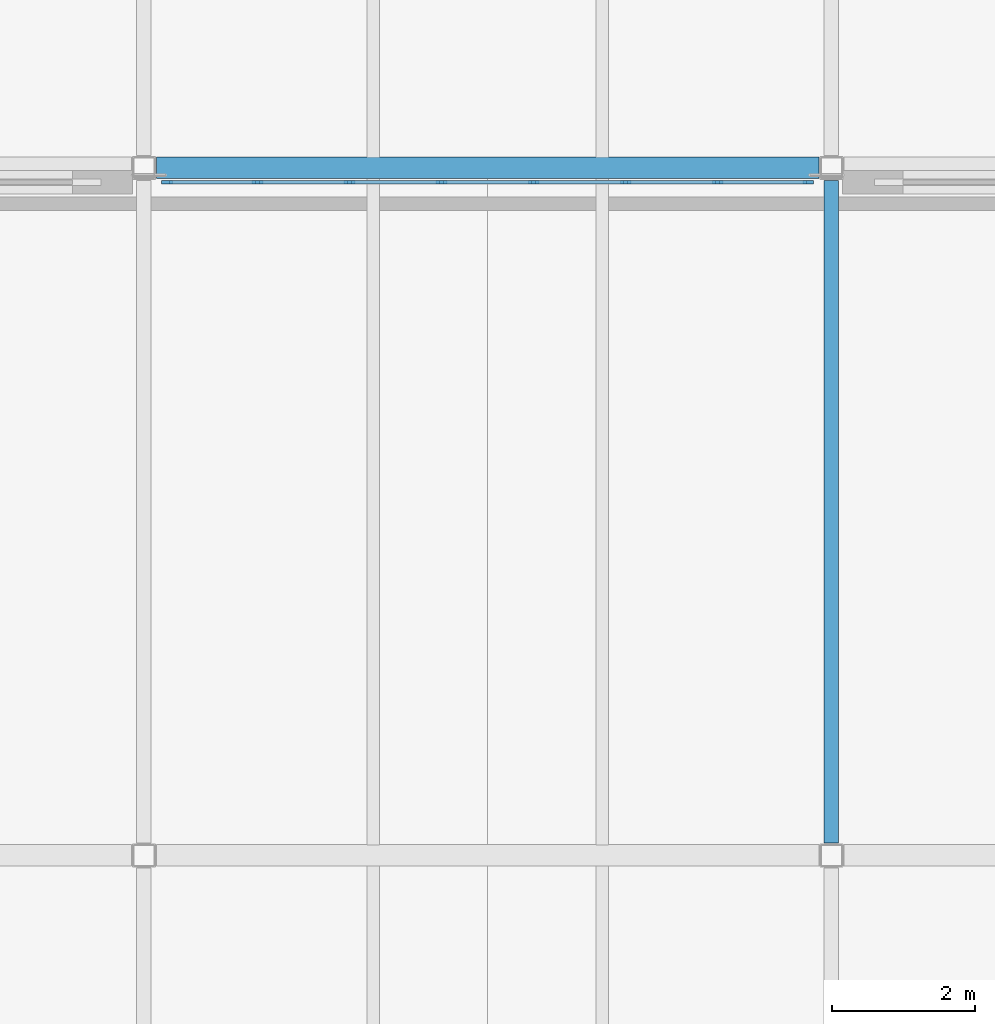
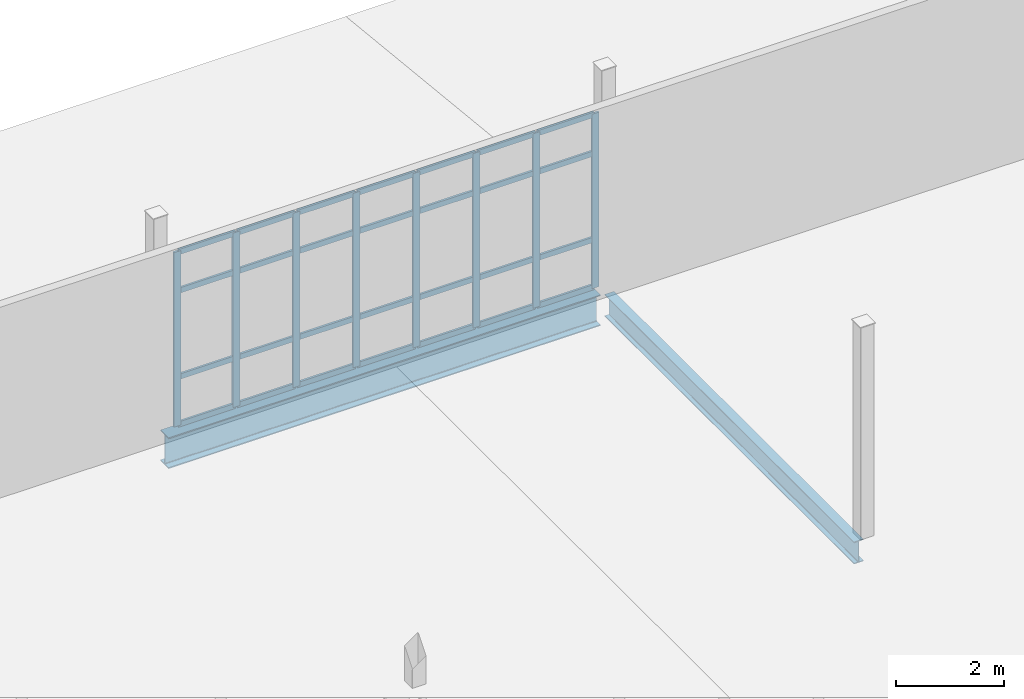
# One storey, part 51 of 112: 36 members, 2 beams, 1 element without a shape of its own.
"""IFC4 building model written with IfcOpenShell, lengths in metres."""

import ifcopenshell
import ifcopenshell.guid

model = None  # the IFC model being written
_history = None  # IfcOwnerHistory: only IFC2X3 demands one
_inside = {}  # id of a spatial element -> (the spatial element, [elements in it])
_under = {}  # id of a project, library or spatial element -> (it, [spatial elements below it])
_declared = {}  # id of a project -> (the project, [libraries it declares])
_typed = {}  # id of a type object -> (the type object, [elements of that type])
_made_of = {}  # id of a material, layer set ... -> (it, [elements and type objects made of it])


def new_model(schema):
    """Start an empty IFC model of exactly this schema.

    Asked for "IFC4X3", IfcOpenShell would pick the latest addendum, in which some entities
    have other attributes; the version numbers below select the first issue.
    IFC2X3 requires an IfcOwnerHistory on every rooted entity: one is made here for all.
    """
    global model, _history
    if schema == "IFC4X3":
        model = ifcopenshell.file(schema_version=(4, 3, 0, 0))
    else:
        model = ifcopenshell.file(schema=schema)
    _inside.clear()
    _under.clear()
    _declared.clear()
    _typed.clear()
    _made_of.clear()
    _history = None
    if model.schema == "IFC2X3":
        org = make("IfcOrganization", Name="unknown")
        user = make(
            "IfcPersonAndOrganization",
            ThePerson=make("IfcPerson", FamilyName="unknown"),
            TheOrganization=org,
        )
        app = make(
            "IfcApplication",
            ApplicationDeveloper=org,
            Version="unknown",
            ApplicationFullName="unknown",
            ApplicationIdentifier="unknown",
        )
        _history = make(
            "IfcOwnerHistory",
            OwningUser=user,
            OwningApplication=app,
            ChangeAction="ADDED",
            CreationDate=0,
        )
    return model


def make(cls, **values):
    """One entity of the class cls with the attributes given. An attribute that is None is left unset."""
    return model.create_entity(
        cls, **{name: value for name, value in values.items() if value is not None}
    )


def rooted(cls, **values):
    """An entity with a GlobalId (a new one), such as an element, a storey or a relation."""
    return make(cls, GlobalId=ifcopenshell.guid.new(), OwnerHistory=_history, **values)


def si_unit(unit_type, name, prefix=None):
    """IfcSIUnit, for example si_unit("LENGTHUNIT", "METRE", prefix="MILLI")."""
    return make("IfcSIUnit", UnitType=unit_type, Prefix=prefix, Name=name)


def assignment(units):
    """IfcUnitAssignment: the units of a project."""
    return None if units is None else make("IfcUnitAssignment", Units=units)


def point(xyz):
    """IfcCartesianPoint."""
    return None if xyz is None else make("IfcCartesianPoint", Coordinates=xyz)


def direction(xyz):
    """IfcDirection."""
    return None if xyz is None else make("IfcDirection", DirectionRatios=xyz)


def frame(location, z_axis=None, x_axis=None):
    """IfcAxis2Placement3D, a coordinate frame: its origin and axes. An axis left out is left unset."""
    return make(
        "IfcAxis2Placement3D",
        Location=point(location),
        Axis=direction(z_axis),
        RefDirection=direction(x_axis),
    )


def frame_2d(location, x_axis=None):
    """IfcAxis2Placement2D, a coordinate frame in the plane: its origin and x axis."""
    return make(
        "IfcAxis2Placement2D", Location=point(location), RefDirection=direction(x_axis)
    )


def origin():
    """The frame at (0, 0, 0) with its axes left unset."""
    return frame((0.0, 0.0, 0.0))


def origin_2d():
    """The frame at (0, 0) in the plane with its x axis left unset."""
    return frame_2d((0.0, 0.0))


def place(relative_to, where):
    """IfcLocalPlacement: puts the frame where relative to a parent placement (None: the world)."""
    return make(
        "IfcLocalPlacement", PlacementRelTo=relative_to, RelativePlacement=where
    )


def context(
    kind, dimensions, precision=None, world=None, true_north=None, identifier=None
):
    """IfcGeometricRepresentationContext, for example the 3D "Model" context."""
    return make(
        "IfcGeometricRepresentationContext",
        ContextIdentifier=identifier,
        ContextType=kind,
        CoordinateSpaceDimension=dimensions,
        Precision=precision,
        WorldCoordinateSystem=world,
        TrueNorth=true_north,
    )


def subcontext(parent, identifier, kind, view, scale=None):
    """IfcGeometricRepresentationSubContext, for example "Body" below "Model"."""
    return make(
        "IfcGeometricRepresentationSubContext",
        ContextIdentifier=identifier,
        ContextType=kind,
        ParentContext=parent,
        TargetScale=scale,
        TargetView=view,
    )


def project(units=None, contexts=None):
    """IfcProject with its units and contexts."""
    return rooted(
        "IfcProject",
        Name="project",
        RepresentationContexts=contexts,
        UnitsInContext=assignment(units),
    )


def spatial(cls, under=None, at=None, **own):
    """A site, building, storey or space (cls), placed at a placement, below another one or the project."""
    s = rooted(cls, ObjectPlacement=at, **own)
    if under is not None:
        _under.setdefault(under.id(), (under, []))[1].append(s)
    return s


def profile(cls, at=None, kind="AREA", **sizes):
    """A parametric profile (cls). Its sizes go by their IFC names, for example OverallWidth=200.0."""
    return make(cls, ProfileType=kind, Position=at, **sizes)


def rectangle(**sizes):
    """IfcRectangleProfileDef."""
    return profile("IfcRectangleProfileDef", **sizes)


def i_section(**sizes):
    """IfcIShapeProfileDef."""
    return profile("IfcIShapeProfileDef", **sizes)


def extrude(swept, where, along, depth):
    """IfcExtrudedAreaSolid: the profile swept, set in the frame where, extruded along a direction by depth."""
    return make(
        "IfcExtrudedAreaSolid",
        SweptArea=swept,
        Position=where,
        ExtrudedDirection=direction(along),
        Depth=depth,
    )


def shape(context_of_items, identifier, shape_type, items):
    """IfcShapeRepresentation: the items that make up one representation, for example the "Body"."""
    return make(
        "IfcShapeRepresentation",
        ContextOfItems=context_of_items,
        RepresentationIdentifier=identifier,
        RepresentationType=shape_type,
        Items=items,
    )


def material(Name=None, Category=None):
    """IfcMaterial."""
    return make("IfcMaterial", Name=Name, Category=Category)


def layer(
    of_material, thickness, ventilated=None, Name=None, Category=None, Priority=None
):
    """IfcMaterialLayer: one layer of a wall or slab, of a material (None: an air gap)."""
    return make(
        "IfcMaterialLayer",
        Material=of_material,
        LayerThickness=thickness,
        IsVentilated=ventilated,
        Name=Name,
        Category=Category,
        Priority=Priority,
    )


def layer_set(layers, Name=None):
    """IfcMaterialLayerSet."""
    return make("IfcMaterialLayerSet", MaterialLayers=layers, LayerSetName=Name)


def material_profile(
    of_material, cross_section, Name=None, Category=None, Priority=None
):
    """IfcMaterialProfile: a cross section and its material."""
    return make(
        "IfcMaterialProfile",
        Name=Name,
        Material=of_material,
        Profile=cross_section,
        Priority=Priority,
        Category=Category,
    )


def profile_set(profiles, Name=None, composite=None):
    """IfcMaterialProfileSet."""
    return make(
        "IfcMaterialProfileSet",
        Name=Name,
        MaterialProfiles=profiles,
        CompositeProfile=composite,
    )


def made_of(thing, what):
    """Note that an element or type object is made of a material, layer set ...; save() writes the relation."""
    if what is not None:
        _made_of.setdefault(what.id(), (what, []))[1].append(thing)
    return thing


def type_object(cls, material=None, **own):
    """A type object (cls), such as IfcWallType, which elements share."""
    return made_of(rooted(cls, **own), material)


def element(
    cls,
    number,
    at=None,
    inside=None,
    cuts=None,
    type_object=None,
    material=None,
    context=None,
    identifier="Body",
    shape_type=None,
    held_by="IfcProductDefinitionShape",
    body=None,
    shapes=None,
    **own,
):
    """One element of the class cls, such as IfcWall. Its Tag is "e" and its number.

    at: its placement. inside: the storey or other place that contains it. cuts: it is an
    opening in that element (IfcRelVoidsElement). A single representation is given by context,
    identifier, shape_type and body (its items); several are given by shapes. held_by: the class
    of the entity that holds the representations. save() writes the other relations.
    """
    e = rooted(cls, Tag="e%d" % number, ObjectPlacement=at, **own)
    if body is not None:
        shapes = [shape(context, identifier, shape_type, body)]
    if shapes is not None:
        e.Representation = make(held_by, Representations=shapes)
    if inside is not None:
        _inside.setdefault(inside.id(), (inside, []))[1].append(e)
    if cuts is not None:
        rooted(
            "IfcRelVoidsElement", RelatingBuildingElement=cuts, RelatedOpeningElement=e
        )
    if type_object is not None:
        _typed.setdefault(type_object.id(), (type_object, []))[1].append(e)
    return made_of(e, material)


def aggregate(whole, parts):
    """IfcRelAggregates: a whole, such as a stair, and the parts it consists of."""
    return rooted("IfcRelAggregates", RelatingObject=whole, RelatedObjects=parts)


def save(model, path):
    """Write the relations noted so far, then the file.

    IfcRelAggregates (storeys below a building ...), IfcRelContainedInSpatialStructure (elements
    in a storey), IfcRelDefinesByType, IfcRelAssociatesMaterial and IfcRelDeclares: one each for
    every whole, place, type object, material and project.
    """
    for whole, parts in _under.values():
        aggregate(whole, parts)
    for where, things in _inside.values():
        rooted(
            "IfcRelContainedInSpatialStructure",
            RelatedElements=things,
            RelatingStructure=where,
        )
    for kind, things in _typed.values():
        rooted("IfcRelDefinesByType", RelatedObjects=things, RelatingType=kind)
    for what, things in _made_of.values():
        rooted("IfcRelAssociatesMaterial", RelatedObjects=things, RelatingMaterial=what)
    for by, libraries in _declared.values():
        rooted("IfcRelDeclares", RelatingContext=by, RelatedDefinitions=libraries)
    model.write(path)


model = new_model("IFC4")

# Units and contexts
model_context = context("Model", 3, precision=1e-05, world=origin(), true_north=direction((0.0, 1.0)))
body_context = subcontext(model_context, "Body", "Model", "MODEL_VIEW")
ifc_project = project(units=[si_unit("LENGTHUNIT", "METRE"), si_unit("AREAUNIT", "SQUARE_METRE"), si_unit("VOLUMEUNIT", "CUBIC_METRE"), si_unit("PLANEANGLEUNIT", "RADIAN"), si_unit("MASSUNIT", "GRAM", prefix="KILO")], contexts=[model_context])

# Site, building, storey
site_placement = place(None, origin())
site = spatial("IfcSite", under=ifc_project, at=site_placement, CompositionType="ELEMENT")
building_placement = place(site_placement, origin())
building = spatial("IfcBuilding", under=site, at=building_placement, Name="Yeouljin Market Hall", CompositionType="ELEMENT")
storey_placement = place(building_placement, frame((0.0, 0.0, 6.0)))
storey = spatial("IfcBuildingStorey", under=building, at=storey_placement, Name="L01", CompositionType="ELEMENT", Elevation=6.0)

# Beam
ifc_material_1 = material(Name="Steel SM355", Category="steel")
ifc_material_profile_1 = material_profile(ifc_material_1, i_section(OverallWidth=0.199951171875, OverallDepth=0.5, WebThickness=0.010009765625, FlangeThickness=0.01611328125, FilletRadius=0.02001953125, at=origin_2d()), Name="H-500x200x10x16")
ifc_profile_set_1 = profile_set([ifc_material_profile_1], Name="Steel SM355")
beam_type_1 = type_object("IfcBeamType", Name="Beam_H-500x200x10x16", PredefinedType="BEAM", material=ifc_profile_set_1)
beam_1_placement = place(storey_placement, frame((93.0, 98.574951171875, -0.510009765625), z_axis=(0.0, 1.0, 0.0), x_axis=(-1.0, 0.0, 0.0)))
element("IfcBeam", 1, at=beam_1_placement, inside=storey, type_object=beam_type_1, Name="Primary beam BM-L01-Y183", PredefinedType="BEAM", context=body_context, shape_type="SweptSolid", body=[
    extrude(i_section(OverallWidth=0.199951171875, OverallDepth=0.5, WebThickness=0.010009765625, FlangeThickness=0.01611328125, FilletRadius=0.02001953125, at=origin_2d()), origin(), (0.0, 0.0, 1.0), 9.25),
])

# Curtain wall, members
ifc_material_2 = material(Name="Thermally Broken Aluminium", Category="aluminium")
ifc_layer = layer(ifc_material_2, 0.14990234375)
ifc_layer_set = layer_set([ifc_layer], Name="Thermally Broken Aluminium")
curtain_wall_type = type_object("IfcCurtainWallType", Name="CW_AcademyRibbon_System", PredefinedType="USERDEFINED", material=ifc_layer_set)
curtain_wall_placement = place(storey_placement, origin())
curtain_wall = element("IfcCurtainWall", 2, at=curtain_wall_placement, inside=storey, type_object=curtain_wall_type, Name="Curtain wall CW-L01-W20", ObjectType="CURTAIN WALL", PredefinedType="USERDEFINED")
ifc_material_3 = material(Name="Thermally Broken Aluminium", Category="aluminium")
ifc_material_profile_2 = material_profile(ifc_material_3, rectangle(XDim=0.048095703125, YDim=0.14990234375, at=origin_2d()), Name="CW-MULL-48x150")
ifc_profile_set_2 = profile_set([ifc_material_profile_2], Name="Thermally Broken Aluminium")
member_type_1 = type_object("IfcMemberType", Name="CWMullion_48x150", PredefinedType="MULLION", material=ifc_profile_set_2)
member_1_placement = place(storey_placement, frame((83.72412109375, 107.800048828125, 0.0), z_axis=(0.0, 0.0, 1.0), x_axis=(0.0, 1.0, 0.0)))
member_1 = element("IfcMember", 3, at=member_1_placement, type_object=member_type_1, Name="CW-05 mullion 1", PredefinedType="MULLION", context=body_context, shape_type="SweptSolid", body=[
    extrude(rectangle(XDim=0.048095703125, YDim=0.14990234375, at=origin_2d()), origin(), (0.0, 0.0, 1.0), 3.949951171875),
])
member_2_placement = place(storey_placement, frame((84.985595703125, 107.800048828125, 0.0), z_axis=(0.0, 0.0, 1.0), x_axis=(0.0, 1.0, 0.0)))
member_2 = element("IfcMember", 4, at=member_2_placement, type_object=member_type_1, Name="CW-05 mullion 2", PredefinedType="MULLION", context=body_context, shape_type="SweptSolid", body=[
    extrude(rectangle(XDim=0.048095703125, YDim=0.14990234375, at=origin_2d()), origin(), (0.0, 0.0, 1.0), 3.949951171875),
])
member_3_placement = place(storey_placement, frame((86.271484375, 107.800048828125, 0.0), z_axis=(0.0, 0.0, 1.0), x_axis=(0.0, 1.0, 0.0)))
member_3 = element("IfcMember", 5, at=member_3_placement, type_object=member_type_1, Name="CW-05 mullion 3", PredefinedType="MULLION", context=body_context, shape_type="SweptSolid", body=[
    extrude(rectangle(XDim=0.048095703125, YDim=0.14990234375, at=origin_2d()), origin(), (0.0, 0.0, 1.0), 3.949951171875),
])
member_4_placement = place(storey_placement, frame((87.55712890625, 107.800048828125, 0.0), z_axis=(0.0, 0.0, 1.0), x_axis=(0.0, 1.0, 0.0)))
member_4 = element("IfcMember", 6, at=member_4_placement, type_object=member_type_1, Name="CW-05 mullion 4", PredefinedType="MULLION", context=body_context, shape_type="SweptSolid", body=[
    extrude(rectangle(XDim=0.048095703125, YDim=0.14990234375, at=origin_2d()), origin(), (0.0, 0.0, 1.0), 3.949951171875),
])
member_5_placement = place(storey_placement, frame((88.8427734375, 107.800048828125, 0.0), z_axis=(0.0, 0.0, 1.0), x_axis=(0.0, 1.0, 0.0)))
member_5 = element("IfcMember", 7, at=member_5_placement, type_object=member_type_1, Name="CW-05 mullion 5", PredefinedType="MULLION", context=body_context, shape_type="SweptSolid", body=[
    extrude(rectangle(XDim=0.048095703125, YDim=0.14990234375, at=origin_2d()), origin(), (0.0, 0.0, 1.0), 3.949951171875),
])
member_6_placement = place(storey_placement, frame((90.128662109375, 107.800048828125, 0.0), z_axis=(0.0, 0.0, 1.0), x_axis=(0.0, 1.0, 0.0)))
member_6 = element("IfcMember", 8, at=member_6_placement, type_object=member_type_1, Name="CW-05 mullion 6", PredefinedType="MULLION", context=body_context, shape_type="SweptSolid", body=[
    extrude(rectangle(XDim=0.048095703125, YDim=0.14990234375, at=origin_2d()), origin(), (0.0, 0.0, 1.0), 3.949951171875),
])
member_7_placement = place(storey_placement, frame((91.414306640625, 107.800048828125, 0.0), z_axis=(0.0, 0.0, 1.0), x_axis=(0.0, 1.0, 0.0)))
member_7 = element("IfcMember", 9, at=member_7_placement, type_object=member_type_1, Name="CW-05 mullion 7", PredefinedType="MULLION", context=body_context, shape_type="SweptSolid", body=[
    extrude(rectangle(XDim=0.048095703125, YDim=0.14990234375, at=origin_2d()), origin(), (0.0, 0.0, 1.0), 3.949951171875),
])
member_8_placement = place(storey_placement, frame((92.676025390625, 107.800048828125, 0.0), z_axis=(0.0, 0.0, 1.0), x_axis=(0.0, 1.0, 0.0)))
member_8 = element("IfcMember", 10, at=member_8_placement, type_object=member_type_1, Name="CW-05 mullion 8", PredefinedType="MULLION", context=body_context, shape_type="SweptSolid", body=[
    extrude(rectangle(XDim=0.048095703125, YDim=0.14990234375, at=origin_2d()), origin(), (0.0, 0.0, 1.0), 3.949951171875),
])
ifc_material_4 = material(Name="Thermally Broken Aluminium", Category="aluminium")
ifc_material_profile_3 = material_profile(ifc_material_4, rectangle(XDim=0.048095703125, YDim=0.1201171875, at=origin_2d()), Name="CW-TRAN-48x120")
ifc_profile_set_3 = profile_set([ifc_material_profile_3], Name="Thermally Broken Aluminium")
member_type_2 = type_object("IfcMemberType", Name="CWTransom_48x120", PredefinedType="USERDEFINED", material=ifc_profile_set_3)
member_9_placement = place(storey_placement, frame((83.748046875, 107.800048828125, 0.02392578125), z_axis=(1.0, 0.0, 0.0), x_axis=(0.0, 1.0, 0.0)))
member_9 = element("IfcMember", 11, at=member_9_placement, type_object=member_type_2, Name="CW-05 transom 1.1", ObjectType="TRANSOM", PredefinedType="USERDEFINED", context=body_context, shape_type="SweptSolid", body=[
    extrude(rectangle(XDim=0.048095703125, YDim=0.1201171875, at=origin_2d()), origin(), (0.0, 0.0, 1.0), 1.213623046875),
])
member_10_placement = place(storey_placement, frame((83.748046875, 107.800048828125, 1.10009765625), z_axis=(1.0, 0.0, 0.0), x_axis=(0.0, 1.0, 0.0)))
member_10 = element("IfcMember", 12, at=member_10_placement, type_object=member_type_2, Name="CW-05 transom 1.2", ObjectType="TRANSOM", PredefinedType="USERDEFINED", context=body_context, shape_type="SweptSolid", body=[
    extrude(rectangle(XDim=0.048095703125, YDim=0.1201171875, at=origin_2d()), origin(), (0.0, 0.0, 1.0), 1.213623046875),
])
member_11_placement = place(storey_placement, frame((83.748046875, 107.800048828125, 3.050048828125), z_axis=(1.0, 0.0, 0.0), x_axis=(0.0, 1.0, 0.0)))
member_11 = element("IfcMember", 13, at=member_11_placement, type_object=member_type_2, Name="CW-05 transom 1.3", ObjectType="TRANSOM", PredefinedType="USERDEFINED", context=body_context, shape_type="SweptSolid", body=[
    extrude(rectangle(XDim=0.048095703125, YDim=0.1201171875, at=origin_2d()), origin(), (0.0, 0.0, 1.0), 1.213623046875),
])
member_12_placement = place(storey_placement, frame((83.748046875, 107.800048828125, 3.926025390625), z_axis=(1.0, 0.0, 0.0), x_axis=(0.0, 1.0, 0.0)))
member_12 = element("IfcMember", 14, at=member_12_placement, type_object=member_type_2, Name="CW-05 transom 1.4", ObjectType="TRANSOM", PredefinedType="USERDEFINED", context=body_context, shape_type="SweptSolid", body=[
    extrude(rectangle(XDim=0.048095703125, YDim=0.1201171875, at=origin_2d()), origin(), (0.0, 0.0, 1.0), 1.213623046875),
])
member_13_placement = place(storey_placement, frame((85.009765625, 107.800048828125, 0.02392578125), z_axis=(1.0, 0.0, 0.0), x_axis=(0.0, 1.0, 0.0)))
member_13 = element("IfcMember", 15, at=member_13_placement, type_object=member_type_2, Name="CW-05 transom 2.1", ObjectType="TRANSOM", PredefinedType="USERDEFINED", context=body_context, shape_type="SweptSolid", body=[
    extrude(rectangle(XDim=0.048095703125, YDim=0.1201171875, at=origin_2d()), origin(), (0.0, 0.0, 1.0), 1.237548828125),
])
member_14_placement = place(storey_placement, frame((85.009765625, 107.800048828125, 1.10009765625), z_axis=(1.0, 0.0, 0.0), x_axis=(0.0, 1.0, 0.0)))
member_14 = element("IfcMember", 16, at=member_14_placement, type_object=member_type_2, Name="CW-05 transom 2.2", ObjectType="TRANSOM", PredefinedType="USERDEFINED", context=body_context, shape_type="SweptSolid", body=[
    extrude(rectangle(XDim=0.048095703125, YDim=0.1201171875, at=origin_2d()), origin(), (0.0, 0.0, 1.0), 1.237548828125),
])
member_15_placement = place(storey_placement, frame((85.009765625, 107.800048828125, 3.050048828125), z_axis=(1.0, 0.0, 0.0), x_axis=(0.0, 1.0, 0.0)))
member_15 = element("IfcMember", 17, at=member_15_placement, type_object=member_type_2, Name="CW-05 transom 2.3", ObjectType="TRANSOM", PredefinedType="USERDEFINED", context=body_context, shape_type="SweptSolid", body=[
    extrude(rectangle(XDim=0.048095703125, YDim=0.1201171875, at=origin_2d()), origin(), (0.0, 0.0, 1.0), 1.237548828125),
])
member_16_placement = place(storey_placement, frame((85.009765625, 107.800048828125, 3.926025390625), z_axis=(1.0, 0.0, 0.0), x_axis=(0.0, 1.0, 0.0)))
member_16 = element("IfcMember", 18, at=member_16_placement, type_object=member_type_2, Name="CW-05 transom 2.4", ObjectType="TRANSOM", PredefinedType="USERDEFINED", context=body_context, shape_type="SweptSolid", body=[
    extrude(rectangle(XDim=0.048095703125, YDim=0.1201171875, at=origin_2d()), origin(), (0.0, 0.0, 1.0), 1.237548828125),
])
member_17_placement = place(storey_placement, frame((86.29541015625, 107.800048828125, 0.02392578125), z_axis=(1.0, 0.0, 0.0), x_axis=(0.0, 1.0, 0.0)))
member_17 = element("IfcMember", 19, at=member_17_placement, type_object=member_type_2, Name="CW-05 transom 3.1", ObjectType="TRANSOM", PredefinedType="USERDEFINED", context=body_context, shape_type="SweptSolid", body=[
    extrude(rectangle(XDim=0.048095703125, YDim=0.1201171875, at=origin_2d()), origin(), (0.0, 0.0, 1.0), 1.23779296875),
])
member_18_placement = place(storey_placement, frame((86.29541015625, 107.800048828125, 1.10009765625), z_axis=(1.0, 0.0, 0.0), x_axis=(0.0, 1.0, 0.0)))
member_18 = element("IfcMember", 20, at=member_18_placement, type_object=member_type_2, Name="CW-05 transom 3.2", ObjectType="TRANSOM", PredefinedType="USERDEFINED", context=body_context, shape_type="SweptSolid", body=[
    extrude(rectangle(XDim=0.048095703125, YDim=0.1201171875, at=origin_2d()), origin(), (0.0, 0.0, 1.0), 1.23779296875),
])
member_19_placement = place(storey_placement, frame((86.29541015625, 107.800048828125, 3.050048828125), z_axis=(1.0, 0.0, 0.0), x_axis=(0.0, 1.0, 0.0)))
member_19 = element("IfcMember", 21, at=member_19_placement, type_object=member_type_2, Name="CW-05 transom 3.3", ObjectType="TRANSOM", PredefinedType="USERDEFINED", context=body_context, shape_type="SweptSolid", body=[
    extrude(rectangle(XDim=0.048095703125, YDim=0.1201171875, at=origin_2d()), origin(), (0.0, 0.0, 1.0), 1.23779296875),
])
member_20_placement = place(storey_placement, frame((86.29541015625, 107.800048828125, 3.926025390625), z_axis=(1.0, 0.0, 0.0), x_axis=(0.0, 1.0, 0.0)))
member_20 = element("IfcMember", 22, at=member_20_placement, type_object=member_type_2, Name="CW-05 transom 3.4", ObjectType="TRANSOM", PredefinedType="USERDEFINED", context=body_context, shape_type="SweptSolid", body=[
    extrude(rectangle(XDim=0.048095703125, YDim=0.1201171875, at=origin_2d()), origin(), (0.0, 0.0, 1.0), 1.23779296875),
])
member_21_placement = place(storey_placement, frame((87.5810546875, 107.800048828125, 0.02392578125), z_axis=(1.0, 0.0, 0.0), x_axis=(0.0, 1.0, 0.0)))
member_21 = element("IfcMember", 23, at=member_21_placement, type_object=member_type_2, Name="CW-05 transom 4.1", ObjectType="TRANSOM", PredefinedType="USERDEFINED", context=body_context, shape_type="SweptSolid", body=[
    extrude(rectangle(XDim=0.048095703125, YDim=0.1201171875, at=origin_2d()), origin(), (0.0, 0.0, 1.0), 1.23779296875),
])
member_22_placement = place(storey_placement, frame((87.5810546875, 107.800048828125, 1.10009765625), z_axis=(1.0, 0.0, 0.0), x_axis=(0.0, 1.0, 0.0)))
member_22 = element("IfcMember", 24, at=member_22_placement, type_object=member_type_2, Name="CW-05 transom 4.2", ObjectType="TRANSOM", PredefinedType="USERDEFINED", context=body_context, shape_type="SweptSolid", body=[
    extrude(rectangle(XDim=0.048095703125, YDim=0.1201171875, at=origin_2d()), origin(), (0.0, 0.0, 1.0), 1.23779296875),
])
member_23_placement = place(storey_placement, frame((87.5810546875, 107.800048828125, 3.050048828125), z_axis=(1.0, 0.0, 0.0), x_axis=(0.0, 1.0, 0.0)))
member_23 = element("IfcMember", 25, at=member_23_placement, type_object=member_type_2, Name="CW-05 transom 4.3", ObjectType="TRANSOM", PredefinedType="USERDEFINED", context=body_context, shape_type="SweptSolid", body=[
    extrude(rectangle(XDim=0.048095703125, YDim=0.1201171875, at=origin_2d()), origin(), (0.0, 0.0, 1.0), 1.23779296875),
])
member_24_placement = place(storey_placement, frame((87.5810546875, 107.800048828125, 3.926025390625), z_axis=(1.0, 0.0, 0.0), x_axis=(0.0, 1.0, 0.0)))
member_24 = element("IfcMember", 26, at=member_24_placement, type_object=member_type_2, Name="CW-05 transom 4.4", ObjectType="TRANSOM", PredefinedType="USERDEFINED", context=body_context, shape_type="SweptSolid", body=[
    extrude(rectangle(XDim=0.048095703125, YDim=0.1201171875, at=origin_2d()), origin(), (0.0, 0.0, 1.0), 1.23779296875),
])
member_25_placement = place(storey_placement, frame((88.866943359375, 107.800048828125, 0.02392578125), z_axis=(1.0, 0.0, 0.0), x_axis=(0.0, 1.0, 0.0)))
member_25 = element("IfcMember", 27, at=member_25_placement, type_object=member_type_2, Name="CW-05 transom 5.1", ObjectType="TRANSOM", PredefinedType="USERDEFINED", context=body_context, shape_type="SweptSolid", body=[
    extrude(rectangle(XDim=0.048095703125, YDim=0.1201171875, at=origin_2d()), origin(), (0.0, 0.0, 1.0), 1.237548828125),
])
member_26_placement = place(storey_placement, frame((88.866943359375, 107.800048828125, 1.10009765625), z_axis=(1.0, 0.0, 0.0), x_axis=(0.0, 1.0, 0.0)))
member_26 = element("IfcMember", 28, at=member_26_placement, type_object=member_type_2, Name="CW-05 transom 5.2", ObjectType="TRANSOM", PredefinedType="USERDEFINED", context=body_context, shape_type="SweptSolid", body=[
    extrude(rectangle(XDim=0.048095703125, YDim=0.1201171875, at=origin_2d()), origin(), (0.0, 0.0, 1.0), 1.237548828125),
])
member_27_placement = place(storey_placement, frame((88.866943359375, 107.800048828125, 3.050048828125), z_axis=(1.0, 0.0, 0.0), x_axis=(0.0, 1.0, 0.0)))
member_27 = element("IfcMember", 29, at=member_27_placement, type_object=member_type_2, Name="CW-05 transom 5.3", ObjectType="TRANSOM", PredefinedType="USERDEFINED", context=body_context, shape_type="SweptSolid", body=[
    extrude(rectangle(XDim=0.048095703125, YDim=0.1201171875, at=origin_2d()), origin(), (0.0, 0.0, 1.0), 1.237548828125),
])
member_28_placement = place(storey_placement, frame((88.866943359375, 107.800048828125, 3.926025390625), z_axis=(1.0, 0.0, 0.0), x_axis=(0.0, 1.0, 0.0)))
member_28 = element("IfcMember", 30, at=member_28_placement, type_object=member_type_2, Name="CW-05 transom 5.4", ObjectType="TRANSOM", PredefinedType="USERDEFINED", context=body_context, shape_type="SweptSolid", body=[
    extrude(rectangle(XDim=0.048095703125, YDim=0.1201171875, at=origin_2d()), origin(), (0.0, 0.0, 1.0), 1.237548828125),
])
member_29_placement = place(storey_placement, frame((90.152587890625, 107.800048828125, 0.02392578125), z_axis=(1.0, 0.0, 0.0), x_axis=(0.0, 1.0, 0.0)))
member_29 = element("IfcMember", 31, at=member_29_placement, type_object=member_type_2, Name="CW-05 transom 6.1", ObjectType="TRANSOM", PredefinedType="USERDEFINED", context=body_context, shape_type="SweptSolid", body=[
    extrude(rectangle(XDim=0.048095703125, YDim=0.1201171875, at=origin_2d()), origin(), (0.0, 0.0, 1.0), 1.23779296875),
])
member_30_placement = place(storey_placement, frame((90.152587890625, 107.800048828125, 1.10009765625), z_axis=(1.0, 0.0, 0.0), x_axis=(0.0, 1.0, 0.0)))
member_30 = element("IfcMember", 32, at=member_30_placement, type_object=member_type_2, Name="CW-05 transom 6.2", ObjectType="TRANSOM", PredefinedType="USERDEFINED", context=body_context, shape_type="SweptSolid", body=[
    extrude(rectangle(XDim=0.048095703125, YDim=0.1201171875, at=origin_2d()), origin(), (0.0, 0.0, 1.0), 1.23779296875),
])
member_31_placement = place(storey_placement, frame((90.152587890625, 107.800048828125, 3.050048828125), z_axis=(1.0, 0.0, 0.0), x_axis=(0.0, 1.0, 0.0)))
member_31 = element("IfcMember", 33, at=member_31_placement, type_object=member_type_2, Name="CW-05 transom 6.3", ObjectType="TRANSOM", PredefinedType="USERDEFINED", context=body_context, shape_type="SweptSolid", body=[
    extrude(rectangle(XDim=0.048095703125, YDim=0.1201171875, at=origin_2d()), origin(), (0.0, 0.0, 1.0), 1.23779296875),
])
member_32_placement = place(storey_placement, frame((90.152587890625, 107.800048828125, 3.926025390625), z_axis=(1.0, 0.0, 0.0), x_axis=(0.0, 1.0, 0.0)))
member_32 = element("IfcMember", 34, at=member_32_placement, type_object=member_type_2, Name="CW-05 transom 6.4", ObjectType="TRANSOM", PredefinedType="USERDEFINED", context=body_context, shape_type="SweptSolid", body=[
    extrude(rectangle(XDim=0.048095703125, YDim=0.1201171875, at=origin_2d()), origin(), (0.0, 0.0, 1.0), 1.23779296875),
])
member_33_placement = place(storey_placement, frame((91.438232421875, 107.800048828125, 0.02392578125), z_axis=(1.0, 0.0, 0.0), x_axis=(0.0, 1.0, 0.0)))
member_33 = element("IfcMember", 35, at=member_33_placement, type_object=member_type_2, Name="CW-05 transom 7.1", ObjectType="TRANSOM", PredefinedType="USERDEFINED", context=body_context, shape_type="SweptSolid", body=[
    extrude(rectangle(XDim=0.048095703125, YDim=0.1201171875, at=origin_2d()), origin(), (0.0, 0.0, 1.0), 1.2138671875),
])
member_34_placement = place(storey_placement, frame((91.438232421875, 107.800048828125, 1.10009765625), z_axis=(1.0, 0.0, 0.0), x_axis=(0.0, 1.0, 0.0)))
member_34 = element("IfcMember", 36, at=member_34_placement, type_object=member_type_2, Name="CW-05 transom 7.2", ObjectType="TRANSOM", PredefinedType="USERDEFINED", context=body_context, shape_type="SweptSolid", body=[
    extrude(rectangle(XDim=0.048095703125, YDim=0.1201171875, at=origin_2d()), origin(), (0.0, 0.0, 1.0), 1.2138671875),
])
member_35_placement = place(storey_placement, frame((91.438232421875, 107.800048828125, 3.050048828125), z_axis=(1.0, 0.0, 0.0), x_axis=(0.0, 1.0, 0.0)))
member_35 = element("IfcMember", 37, at=member_35_placement, type_object=member_type_2, Name="CW-05 transom 7.3", ObjectType="TRANSOM", PredefinedType="USERDEFINED", context=body_context, shape_type="SweptSolid", body=[
    extrude(rectangle(XDim=0.048095703125, YDim=0.1201171875, at=origin_2d()), origin(), (0.0, 0.0, 1.0), 1.2138671875),
])
member_36_placement = place(storey_placement, frame((91.438232421875, 107.800048828125, 3.926025390625), z_axis=(1.0, 0.0, 0.0), x_axis=(0.0, 1.0, 0.0)))
member_36 = element("IfcMember", 38, at=member_36_placement, type_object=member_type_2, Name="CW-05 transom 7.4", ObjectType="TRANSOM", PredefinedType="USERDEFINED", context=body_context, shape_type="SweptSolid", body=[
    extrude(rectangle(XDim=0.048095703125, YDim=0.1201171875, at=origin_2d()), origin(), (0.0, 0.0, 1.0), 1.2138671875),
])
aggregate(curtain_wall, [member_1, member_2, member_3, member_4, member_5, member_6, member_7, member_8, member_9, member_10, member_11, member_12, member_13, member_14, member_15, member_16, member_17, member_18, member_19, member_20, member_21, member_22, member_23, member_24, member_25, member_26, member_27, member_28, member_29, member_30, member_31, member_32, member_33, member_34, member_35, member_36])

# Beam
ifc_material_5 = material(Name="Steel SM355", Category="steel")
ifc_material_profile_4 = material_profile(ifc_material_5, i_section(OverallWidth=0.300048828125, OverallDepth=0.699951171875, WebThickness=0.012939453125, FlangeThickness=0.02392578125, FilletRadius=0.02587890625, at=origin_2d()), Name="H-700x300x13x24")
ifc_profile_set_4 = profile_set([ifc_material_profile_4], Name="Steel SM355")
beam_type_2 = type_object("IfcBeamType", Name="Girder_H-700x300x13x24", PredefinedType="USERDEFINED", material=ifc_profile_set_4)
beam_2_placement = place(storey_placement, frame((83.574951171875, 108.0, -0.610107421875), z_axis=(1.0, 0.0, 0.0), x_axis=(0.0, 1.0, 0.0)))
element("IfcBeam", 39, at=beam_2_placement, inside=storey, type_object=beam_type_2, Name="Primary girder GRD-L01-X118", ObjectType="GIRDER", PredefinedType="USERDEFINED", context=body_context, shape_type="SweptSolid", body=[
    extrude(i_section(OverallWidth=0.300048828125, OverallDepth=0.699951171875, WebThickness=0.012939453125, FlangeThickness=0.02392578125, FilletRadius=0.02587890625, at=origin_2d()), origin(), (0.0, 0.0, 1.0), 9.25),
])

save(model, "model.ifc")
